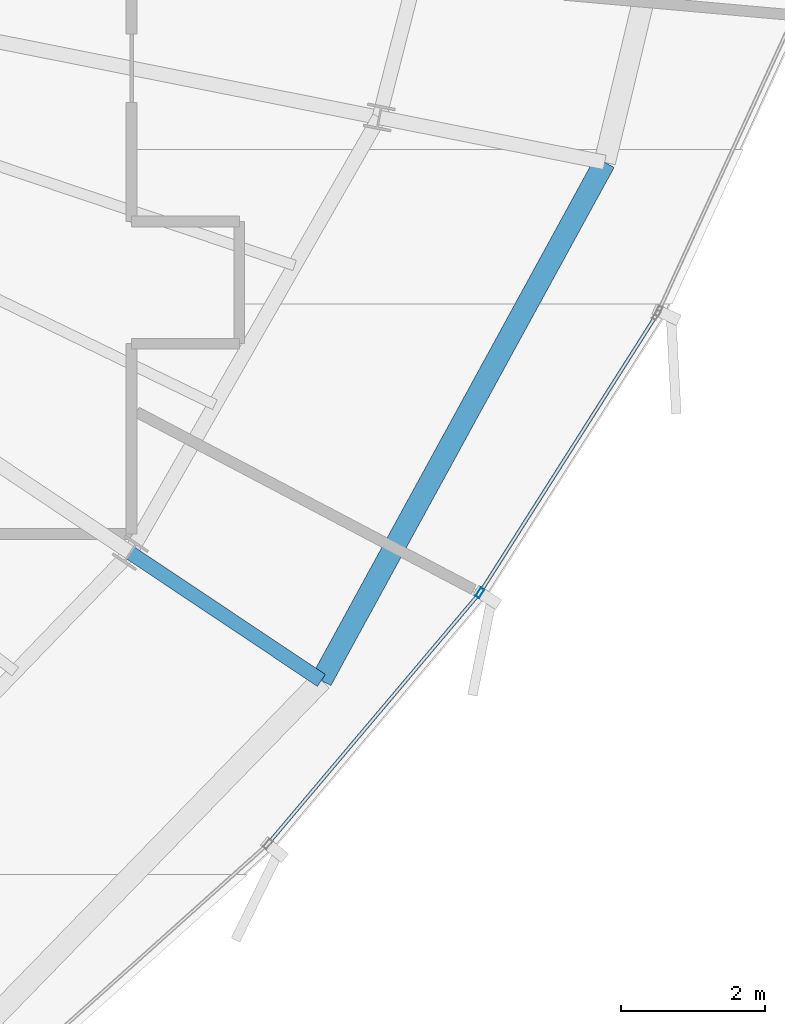
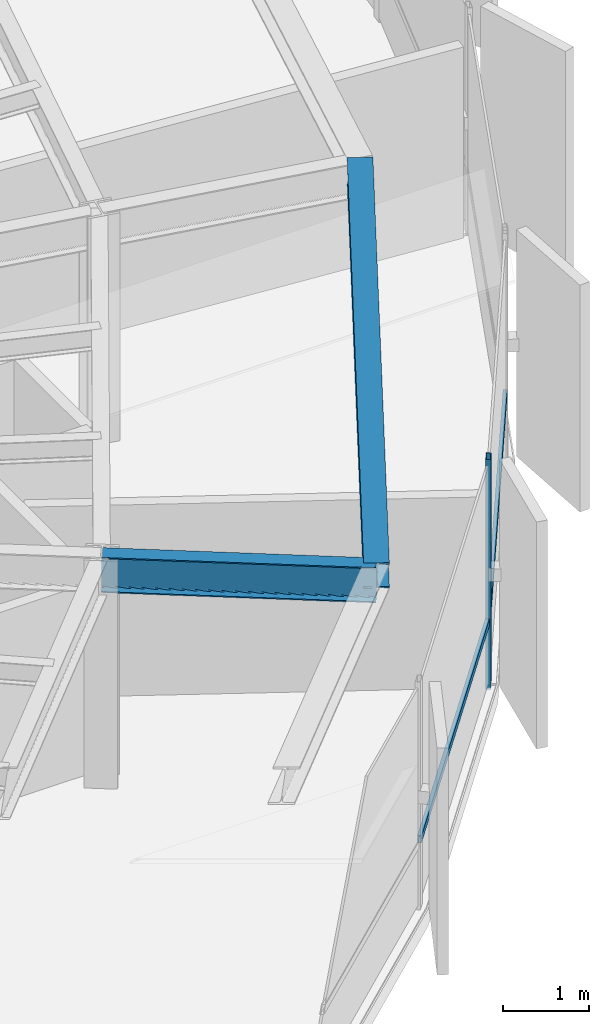
# One storey, part 15 of 34: 3 members, 2 beams, 1 element without a shape of its own.
"""IFC4 building model written with IfcOpenShell, lengths in metres."""

from ifc_helpers import new_model, si_unit, direction, frame, origin, origin_2d, place, context, subcontext, project, spatial, hollow_rectangle, i_section, extrude, source, transform, mapped, material, layer, layer_set, material_profile, profile_set, type_object, element, aggregate, save


model = new_model("IFC4")

# Units and contexts
model_context = context("Model", 3, precision=1e-05, world=origin(), true_north=direction((0.0, 1.0)))
body_context = subcontext(model_context, "Body", "Model", "MODEL_VIEW")
ifc_project = project(units=[si_unit("LENGTHUNIT", "METRE"), si_unit("AREAUNIT", "SQUARE_METRE"), si_unit("VOLUMEUNIT", "CUBIC_METRE"), si_unit("PLANEANGLEUNIT", "RADIAN"), si_unit("MASSUNIT", "GRAM", prefix="KILO"), si_unit("THERMODYNAMICTEMPERATUREUNIT", "KELVIN")], contexts=[model_context])

# Site, building, storey
site_placement = place(None, origin())
site = spatial("IfcSite", under=ifc_project, at=site_placement, CompositionType="ELEMENT")
building_placement = place(site_placement, origin())
building = spatial("IfcBuilding", under=site, at=building_placement, Name="Kethvar Cultural Tower", CompositionType="ELEMENT")
storey_placement = place(building_placement, frame((0.0, 0.0, 186.89990234375)))
storey = spatial("IfcBuildingStorey", under=building, at=storey_placement, Name="L48", CompositionType="ELEMENT", Elevation=186.89990234375)

# Beams
ifc_material_1 = material(Name="Steel S355J2", Category="steel")
ifc_material_profile_1 = material_profile(ifc_material_1, i_section(OverallWidth=0.199951171875, OverallDepth=0.5, WebThickness=0.01025390625, FlangeThickness=0.01611328125, FilletRadius=0.02099609375, at=origin_2d()), Name="Steel S355J2 — IPE500")
ifc_profile_set_1 = profile_set([ifc_material_profile_1], Name="Steel S355J2 — IPE500")
beam_type_1 = type_object("IfcBeamType", Name="BM-IPE500", PredefinedType="BEAM", material=ifc_profile_set_1)
shared_shape_1 = source(origin(), body_context, "Body", "SweptSolid", [
    extrude(i_section(OverallWidth=0.199951171875, OverallDepth=0.5, WebThickness=0.01025390625, FlangeThickness=0.01611328125, FilletRadius=0.02099609375, at=origin_2d()), origin(), (0.0, 0.0, 1.0), 3.199951171875),
])
beam_1_placement = place(storey_placement, frame((61.1826171875, 18.18994140625, 3.008056640625), z_axis=(0.831462943996, -0.555580212716, 0.0), x_axis=(0.555580212716, 0.831462943996, 0.0)))
element("IfcBeam", 1, at=beam_1_placement, inside=storey, type_object=beam_type_1, Name="L48 Perimeter Cantilever Beam RC-15", PredefinedType="BEAM", context=body_context, shape_type="MappedRepresentation", body=[
    mapped(shared_shape_1, transform((0.0, 0.0, 0.0), scale=1.0)),
])
ifc_material_profile_2 = material_profile(ifc_material_1, i_section(OverallWidth=0.300048828125, OverallDepth=0.360107421875, WebThickness=0.012451171875, FlangeThickness=0.0224609375, FilletRadius=0.027099609375, at=origin_2d()), Name="Steel S355J2 — HEB360")
ifc_profile_set_2 = profile_set([ifc_material_profile_2], Name="Steel S355J2 — HEB360")
beam_type_2 = type_object("IfcBeamType", Name="BM-SP360", PredefinedType="SPANDREL", material=ifc_profile_set_2)
shared_shape_2 = source(origin(), body_context, "Body", "SweptSolid", [
    extrude(i_section(OverallWidth=0.300048828125, OverallDepth=0.360107421875, WebThickness=0.012451171875, FlangeThickness=0.0224609375, FilletRadius=0.027099609375, at=origin_2d()), origin(), (0.0, 0.0, 1.0), 8.22119140625),
])
beam_2_placement = place(storey_placement, frame((63.84326171875, 16.412109375, 3.078125), z_axis=(0.479721613821, 0.8774207504, 0.0), x_axis=(-0.8774207504, 0.479721613821, 0.0)))
element("IfcBeam", 2, at=beam_2_placement, inside=storey, type_object=beam_type_2, Name="L48 Perimeter Spandrel Beam SP-15", PredefinedType="SPANDREL", context=body_context, shape_type="MappedRepresentation", body=[
    mapped(shared_shape_2, transform((0.0, 0.0, 0.0), scale=1.0)),
])

# Curtain wall, members
ifc_material_2 = material(Name="Aluminium 6063-T6", Category="aluminium")
ifc_layer = layer(ifc_material_2, 0.179931640625, Name="Aluminium 6063-T6", Category="aluminium")
ifc_layer_set = layer_set([ifc_layer], Name="Aluminium 6063-T6 (180 mm)")
curtain_wall_type = type_object("IfcCurtainWallType", Name="CW-SYS-04-Z34", PredefinedType="NOTDEFINED", material=ifc_layer_set)
curtain_wall_placement = place(storey_placement, origin())
curtain_wall = element("IfcCurtainWall", 3, at=curtain_wall_placement, inside=storey, type_object=curtain_wall_type, Name="L48 Curtain Wall Run 05", PredefinedType="NOTDEFINED")
ifc_material_profile_3 = material_profile(ifc_material_2, hollow_rectangle(XDim=0.06005859375, YDim=0.139892578125, WallThickness=0.0048828125, at=origin_2d()), Name="Aluminium 6063-T6 — RHS140x60x5")
ifc_profile_set_3 = profile_set([ifc_material_profile_3], Name="Aluminium 6063-T6 — RHS140x60x5")
member_type_1 = type_object("IfcMemberType", Name="CW-SYS-04-Z34-MUL", PredefinedType="MULLION", material=ifc_profile_set_3)
shared_shape_3 = source(origin(), body_context, "Body", "SweptSolid", [
    extrude(hollow_rectangle(XDim=0.06005859375, YDim=0.139892578125, WallThickness=0.0048828125, at=origin_2d()), origin(), (0.0, 0.0, 1.0), 3.260009765625),
])
member_1_placement = place(storey_placement, frame((66.050537109375, 17.631591796875, 0.0), z_axis=(0.0, 0.0, 1.0), x_axis=(-0.844037891737, 0.536283541899, 0.0)))
member_1 = element("IfcMember", 4, at=member_1_placement, type_object=member_type_1, Name="CW-L48-R05 Mullion 6", PredefinedType="MULLION", context=body_context, shape_type="MappedRepresentation", body=[
    mapped(shared_shape_3, transform((0.0, 0.0, 0.0), scale=1.0)),
])
ifc_material_profile_4 = material_profile(ifc_material_2, hollow_rectangle(XDim=0.050048828125, YDim=0.10009765625, WallThickness=0.00390625, at=origin_2d()), Name="Aluminium 6063-T6 — RHS100x50x4")
ifc_profile_set_4 = profile_set([ifc_material_profile_4], Name="Aluminium 6063-T6 — RHS100x50x4")
member_type_2 = type_object("IfcMemberType", Name="CW-SYS-04-Z34-TRN", PredefinedType="USERDEFINED", material=ifc_profile_set_4)
shared_shape_4 = source(origin(), body_context, "Body", "SweptSolid", [
    extrude(hollow_rectangle(XDim=0.050048828125, YDim=0.10009765625, WallThickness=0.00390625, at=origin_2d()), origin(), (0.0, 0.0, 1.0), 4.53466796875),
])
member_2_placement = place(storey_placement, frame((66.07373046875, 17.668212890625, 0.9501953125), z_axis=(0.536290101603, 0.844033723806, 0.0), x_axis=(-0.844033723806, 0.536290101603, 0.0)))
member_2 = element("IfcMember", 5, at=member_2_placement, type_object=member_type_2, Name="CW-L48-R05 Transom 6", ObjectType="TRANSOM", PredefinedType="USERDEFINED", context=body_context, shape_type="MappedRepresentation", body=[
    mapped(shared_shape_4, transform((0.0, 0.0, 0.0), scale=1.0)),
])
shared_shape_5 = source(origin(), body_context, "Body", "SweptSolid", [
    extrude(hollow_rectangle(XDim=0.050048828125, YDim=0.10009765625, WallThickness=0.00390625, at=origin_2d()), origin(), (0.0, 0.0, 1.0), 4.506103515625),
])
member_3_placement = place(storey_placement, frame((63.124755859375, 14.16748046875, 0.9501953125), z_axis=(0.645079603398, 0.764115374325, 0.0), x_axis=(-0.764115374325, 0.645079603398, 0.0)))
member_3 = element("IfcMember", 6, at=member_3_placement, type_object=member_type_2, Name="CW-L48-R05 Transom 5", ObjectType="TRANSOM", PredefinedType="USERDEFINED", context=body_context, shape_type="MappedRepresentation", body=[
    mapped(shared_shape_5, transform((0.0, 0.0, 0.0), scale=1.0)),
])
aggregate(curtain_wall, [member_1, member_3, member_2])

save(model, "model.ifc")
